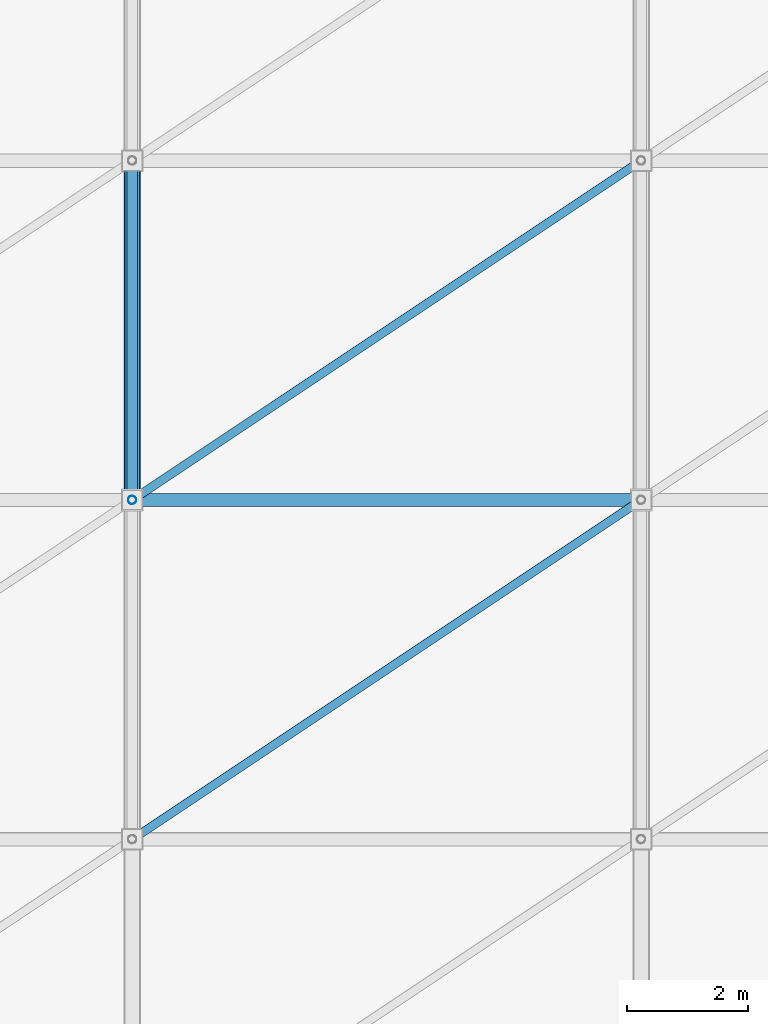
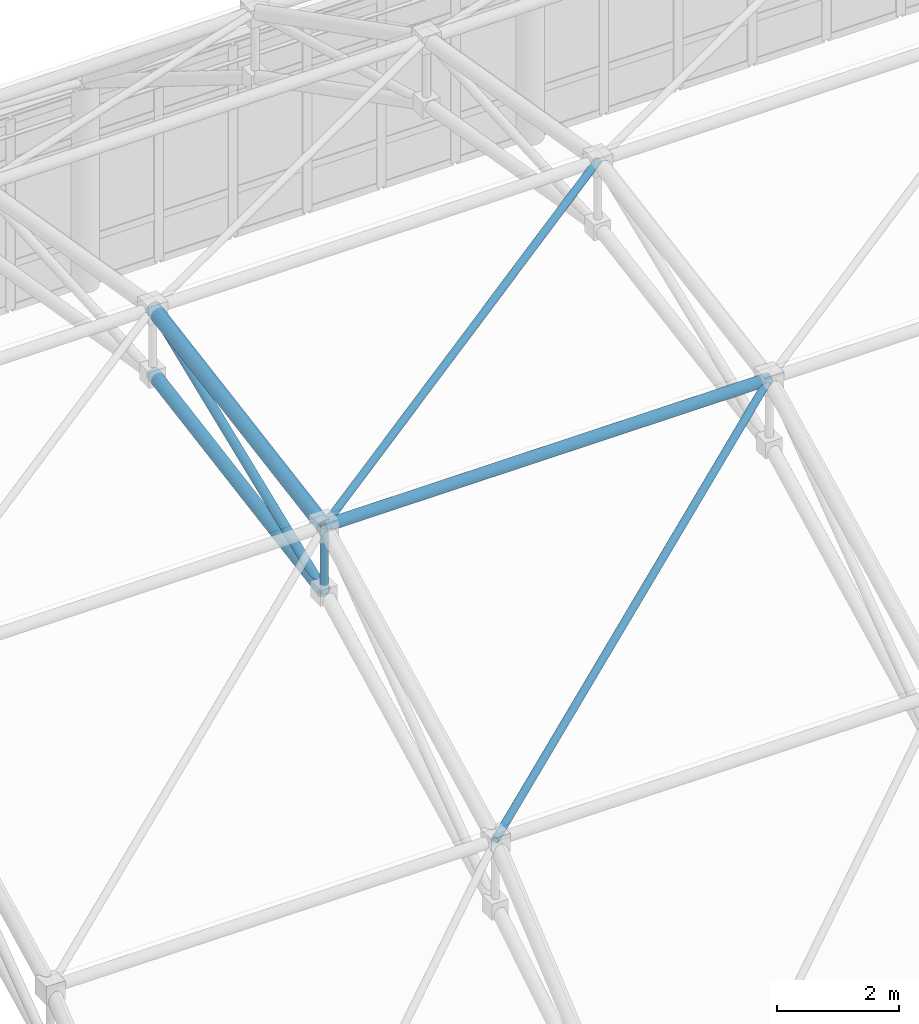
# One storey, part 37 of 184: 7 members.
"""IFC4 building model written with IfcOpenShell, lengths in metres."""

from ifc_helpers import new_model, si_unit, direction, frame, origin, origin_2d, place, context, subcontext, project, spatial, hollow_circle, extrude, material, material_profile, profile_set, type_object, element, save


model = new_model("IFC4")

# Units and contexts
model_context = context("Model", 3, precision=1e-05, world=origin(), true_north=direction((0.0, 1.0)))
body_context = subcontext(model_context, "Body", "Model", "MODEL_VIEW")
ifc_project = project(units=[si_unit("LENGTHUNIT", "METRE"), si_unit("AREAUNIT", "SQUARE_METRE"), si_unit("VOLUMEUNIT", "CUBIC_METRE"), si_unit("PLANEANGLEUNIT", "RADIAN"), si_unit("MASSUNIT", "GRAM", prefix="KILO")], contexts=[model_context])

# Site, building, storey
site_placement = place(None, origin())
site = spatial("IfcSite", under=ifc_project, at=site_placement, CompositionType="ELEMENT")
building_placement = place(site_placement, origin())
building = spatial("IfcBuilding", under=site, at=building_placement, Name="Qalvenar Corner Mobility Hub", CompositionType="ELEMENT")
storey_placement = place(building_placement, frame((0.0, 0.0, 9.0)))
storey = spatial("IfcBuildingStorey", under=building, at=storey_placement, Name="L02", CompositionType="ELEMENT", Elevation=9.0)

# Members
ifc_material = material(Name="Steel S355", Category="steel")
ifc_material_profile_1 = material_profile(ifc_material, hollow_circle(Radius=0.109619140625, WallThickness=0.008056640625, at=origin_2d()), Name="CHS219.1x8")
ifc_profile_set_1 = profile_set([ifc_material_profile_1], Name="Steel S355")
member_type_1 = type_object("IfcMemberType", Name="SF-CHD219", PredefinedType="CHORD", material=ifc_profile_set_1)
member_1_placement = place(storey_placement, frame((58.800048828125, 11.199951171875, 11.704345703125), z_axis=(1.0, 0.0, 0.0), x_axis=(0.0, 1.0, 0.0)))
element("IfcMember", 1, at=member_1_placement, inside=storey, type_object=member_type_1, Name="Space Frame Longitudinal Chord SFL-0181", PredefinedType="CHORD", context=body_context, shape_type="SweptSolid", body=[
    extrude(hollow_circle(Radius=0.109619140625, WallThickness=0.008056640625, at=origin_2d()), origin(), (0.0, 0.0, 1.0), 8.39990234375),
])
ifc_material_profile_2 = material_profile(ifc_material, hollow_circle(Radius=0.122314453125, WallThickness=0.0087890625, at=origin_2d()), Name="CHS244.5x8.8")
ifc_profile_set_2 = profile_set([ifc_material_profile_2], Name="Steel S355")
member_type_2 = type_object("IfcMemberType", Name="SF-CHD244", PredefinedType="CHORD", material=ifc_profile_set_2)
member_2_placement = place(storey_placement, frame((58.800048828125, 11.199951171875, 10.404296875), z_axis=(0.0, 0.985745292256, 0.168244520847), x_axis=(-1.0, 0.0, 0.0)))
element("IfcMember", 2, at=member_2_placement, inside=storey, type_object=member_type_2, Name="Space Frame Bottom Chord SFBC-0028", PredefinedType="CHORD", context=body_context, shape_type="SweptSolid", body=[
    extrude(hollow_circle(Radius=0.122314453125, WallThickness=0.0087890625, at=origin_2d()), origin(), (0.0, 0.0, 1.0), 5.68115234375),
])
ifc_material_profile_3 = material_profile(ifc_material, hollow_circle(Radius=0.136474609375, WallThickness=0.010009765625, at=origin_2d()), Name="CHS273x10")
ifc_profile_set_3 = profile_set([ifc_material_profile_3], Name="Steel S355")
member_type_3 = type_object("IfcMemberType", Name="SF-CHD273", PredefinedType="CHORD", material=ifc_profile_set_3)
member_3_placement = place(storey_placement, frame((58.800048828125, 11.199951171875, 11.704345703125), z_axis=(0.0, 0.985752418555, 0.1682027625), x_axis=(-1.0, 0.0, 0.0)))
element("IfcMember", 3, at=member_3_placement, inside=storey, type_object=member_type_3, Name="Space Frame Top Chord SFTC-0027", PredefinedType="CHORD", context=body_context, shape_type="SweptSolid", body=[
    extrude(hollow_circle(Radius=0.136474609375, WallThickness=0.010009765625, at=origin_2d()), origin(), (0.0, 0.0, 1.0), 5.68115234375),
])
ifc_material_profile_4 = material_profile(ifc_material, hollow_circle(Radius=0.06982421875, WallThickness=0.0048828125, at=origin_2d()), Name="CHS139.7x5")
ifc_profile_set_4 = profile_set([ifc_material_profile_4], Name="Steel S355")
member_type_4 = type_object("IfcMemberType", Name="SF-STR139", PredefinedType="STRUT", material=ifc_profile_set_4)
member_4_placement = place(storey_placement, frame((58.800048828125, 11.199951171875, 10.404296875), z_axis=(0.0, 0.0, 1.0), x_axis=(1.0, 0.0, 0.0)))
element("IfcMember", 4, at=member_4_placement, inside=storey, type_object=member_type_4, Name="Space Frame King Strut SFV-0039", PredefinedType="STRUT", context=body_context, shape_type="SweptSolid", body=[
    extrude(hollow_circle(Radius=0.06982421875, WallThickness=0.0048828125, at=origin_2d()), origin(), (0.0, 0.0, 1.0), 1.300048828125),
])
member_5_placement = place(storey_placement, frame((58.800048828125, 5.60009765625, 8.837890625), z_axis=(0.800414492238, 0.53360190689, 0.273140340445), x_axis=(-0.554694615428, 0.832054014842, 0.0)))
element("IfcMember", 5, at=member_5_placement, inside=storey, type_object=member_type_4, Name="Space Frame Plan Strut SFP-0186", PredefinedType="STRUT", context=body_context, shape_type="SweptSolid", body=[
    extrude(hollow_circle(Radius=0.06982421875, WallThickness=0.0048828125, at=origin_2d()), origin(), (0.0, 0.0, 1.0), 10.494384765625),
])
member_6_placement = place(storey_placement, frame((58.800048828125, 11.199951171875, 11.704345703125), z_axis=(0.828340531995, 0.552243071642, 0.094231379475), x_axis=(-0.554711357594, 0.832042853317, 0.0)))
element("IfcMember", 6, at=member_6_placement, inside=storey, type_object=member_type_4, Name="Space Frame Plan Strut SFP-0187", PredefinedType="STRUT", context=body_context, shape_type="SweptSolid", body=[
    extrude(hollow_circle(Radius=0.06982421875, WallThickness=0.0048828125, at=origin_2d()), origin(), (0.0, 0.0, 1.0), 10.140625),
])
ifc_material_profile_5 = material_profile(ifc_material, hollow_circle(Radius=0.084228515625, WallThickness=0.00634765625, at=origin_2d()), Name="CHS168.3x6.3")
ifc_profile_set_5 = profile_set([ifc_material_profile_5], Name="Steel S355")
member_type_5 = type_object("IfcMemberType", Name="SF-STR168", PredefinedType="STRUT", material=ifc_profile_set_5)
member_7_placement = place(storey_placement, frame((58.800048828125, 11.199951171875, 10.404296875), z_axis=(0.0, 0.927584374155, 0.37361374282), x_axis=(-1.0, 0.0, 0.0)))
element("IfcMember", 7, at=member_7_placement, inside=storey, type_object=member_type_5, Name="Space Frame Web Strut SFD-0029", PredefinedType="STRUT", context=body_context, shape_type="SweptSolid", body=[
    extrude(hollow_circle(Radius=0.084228515625, WallThickness=0.00634765625, at=origin_2d()), origin(), (0.0, 0.0, 1.0), 6.037353515625),
])

save(model, "model.ifc")
